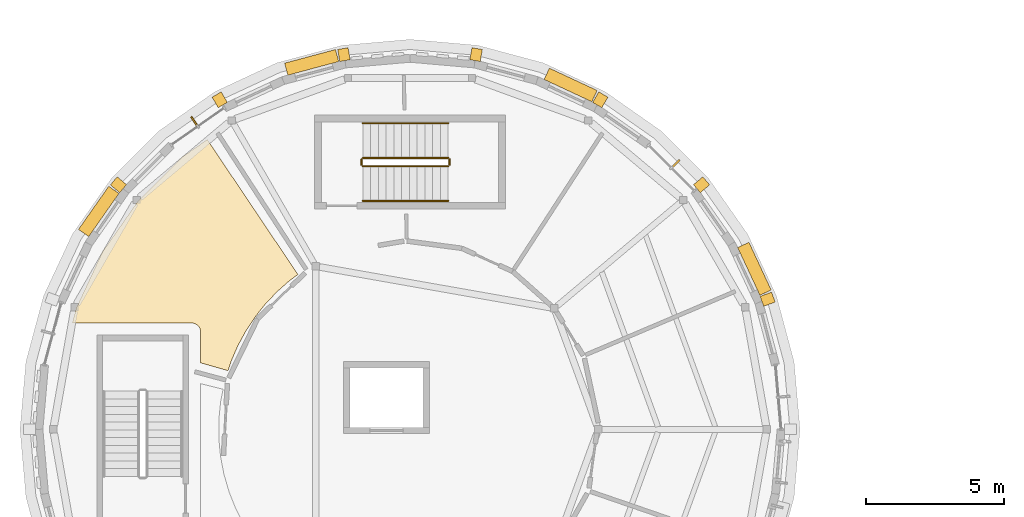
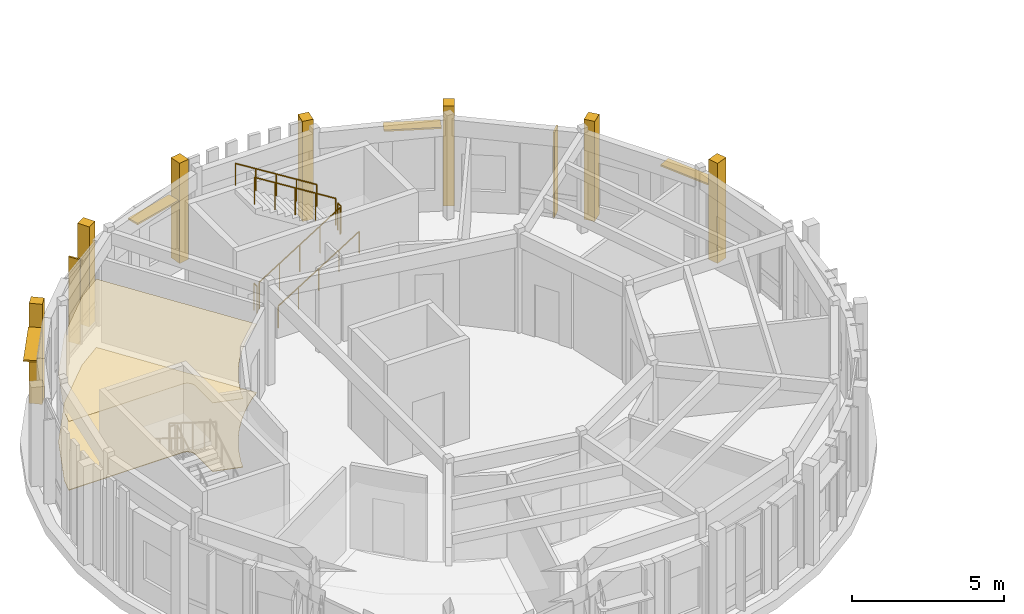
# One storey, part 29 of 30: 9 coverings, 6 railings, 6 shading devices.
"""IFC4 building model written with IfcOpenShell, lengths in metres."""

from ifc_helpers import new_model, si_unit, direction, frame, origin, origin_2d, place, context, subcontext, project, spatial, polyline, rectangle, circle, outline, extrude, material, layer, layer_set, type_object, element, save


model = new_model("IFC4")

# Units and contexts
model_context = context("Model", 3, precision=1e-05, world=origin(), true_north=direction((0.0, 1.0)))
body_context = subcontext(model_context, "Body", "Model", "MODEL_VIEW")
ifc_project = project(units=[si_unit("LENGTHUNIT", "METRE"), si_unit("AREAUNIT", "SQUARE_METRE"), si_unit("VOLUMEUNIT", "CUBIC_METRE"), si_unit("PLANEANGLEUNIT", "RADIAN"), si_unit("MASSUNIT", "GRAM", prefix="KILO")], contexts=[model_context])

# Site, building, storey
site_placement = place(None, origin())
site = spatial("IfcSite", under=ifc_project, at=site_placement, CompositionType="ELEMENT")
building_placement = place(site_placement, origin())
building = spatial("IfcBuilding", under=site, at=building_placement, Name="Aldenvaro Health Centre", CompositionType="ELEMENT")
storey_placement = place(building_placement, frame((0.0, 0.0, 17.14990234375)))
storey = spatial("IfcBuildingStorey", under=building, at=storey_placement, Name="L04", CompositionType="ELEMENT", Elevation=17.14990234375)

# Coverings
ifc_material_1 = material(Name="Antimicrobial Mineral Fibre Ceiling")
ifc_layer_1 = layer(ifc_material_1, 0.01806640625, Name="Antimicrobial Mineral Fibre Ceiling")
ifc_layer_set_1 = layer_set([ifc_layer_1], Name="Antimicrobial Mineral Fibre Ceiling")
covering_type_1 = type_object("IfcCoveringType", Name="COV-CLG-ACT18", PredefinedType="CEILING", material=ifc_layer_set_1)
covering_1_placement = place(storey_placement, frame((0.0, 0.0, 2.75)))
element("IfcCovering", 1, at=covering_1_placement, inside=storey, type_object=covering_type_1, Name="D4-L04-R01 Suspended Ceiling", PredefinedType="CEILING", context=body_context, shape_type="SweptSolid", body=[
    extrude(outline(polyline([(14.1669921875, 104.882080078125), (14.14990234375, 104.868896484375), (13.7119140625, 104.48193359375), (13.697021484375, 104.467041015625), (13.2939453125, 104.04296875), (13.280029296875, 104.028076171875), (12.916015625, 103.570068359375), (12.904052734375, 103.552978515625), (12.5810546875, 103.06494140625), (12.570068359375, 103.047119140625), (12.2919921875, 102.532958984375), (12.281982421875, 102.513916015625), (12.050048828125, 101.97802734375), (12.0419921875, 101.9580078125), (11.929931640625, 101.62109375), (10.93994140625, 101.903076171875), (10.93994140625, 103.02001953125), (10.93994140625, 103.031982421875), (10.93896484375, 103.0400390625), (10.93701171875, 103.06298828125), (10.93603515625, 103.071044921875), (10.930908203125, 103.093994140625), (10.928955078125, 103.10205078125), (10.923095703125, 103.1240234375), (10.919921875, 103.131103515625), (10.910888671875, 103.153076171875), (10.907958984375, 103.159912109375), (10.89599609375, 103.180908203125), (10.89208984375, 103.18798828125), (10.87890625, 103.20703125), (10.875, 103.214111328125), (10.860107421875, 103.23193359375), (10.85400390625, 103.238037109375), (10.837890625, 103.25390625), (10.83203125, 103.260009765625), (10.81396484375, 103.27490234375), (10.806884765625, 103.279052734375), (10.7880859375, 103.2919921875), (10.781005859375, 103.2958984375), (10.760009765625, 103.30810546875), (10.7529296875, 103.31103515625), (10.73095703125, 103.320068359375), (10.72412109375, 103.322998046875), (10.701904296875, 103.3291015625), (10.694091796875, 103.3310546875), (10.6708984375, 103.3359375), (10.6630859375, 103.3369140625), (10.639892578125, 103.339111328125), (10.632080078125, 103.340087890625), (10.6201171875, 103.340087890625), (6.30810546875, 103.340087890625), (6.4541015625, 103.884033203125), (7.39794921875, 105.908935546875), (8.679931640625, 107.739990234375), (10.260009765625, 109.320068359375), (11.179931640625, 109.964111328125), (14.452880859375, 105.093017578125), (14.1669921875, 104.882080078125)])), origin(), (0.0, 0.0, 1.0), 0.01806640625),
])
ifc_material_2 = material(Name="Honed Sonoran Buff Limestone", Category="masonry")
ifc_layer_2 = layer(ifc_material_2, 0.280029296875, Name="Honed Sonoran Buff Limestone", Category="masonry")
ifc_layer_set_2 = layer_set([ifc_layer_2], Name="Honed Sonoran Buff Limestone")
covering_type_2 = type_object("IfcCoveringType", Name="COV-CRN-STN", PredefinedType="CLADDING", material=ifc_layer_set_2)
for number, where, z_axis, x_axis, name in (
    (2, (7.97412109375, 108.33203125, -0.00048828125), (0.0, 0.0, 1.0), (-0.766057587935, 0.642771943979, 0.0), "D4 L04 Engaged Classical Limestone Pilaster 12"),
    (3, (11.6298828125, 111.39892578125, -0.00048828125), (0.0, 0.0, 1.0), (-0.499991611653, 0.866030246745, 0.0), "D4 L04 Engaged Classical Limestone Pilaster 13"),
    (4, (16.114013671875, 113.031005859375, -0.00048828125), (0.0, 0.0, 1.0), (-0.173661868999, 0.984805338763, 0.0), "D4 L04 Engaged Classical Limestone Pilaster 14"),
    (5, (20.885986328125, 113.031005859375, -0.00048828125), (0.0, 0.0, 1.0), (0.173661868999, 0.984805338763, 0.0), "D4 L04 Engaged Classical Limestone Pilaster 15"),
    (6, (25.3701171875, 111.39892578125, -0.00048828125), (0.0, 0.0, 1.0), (0.499991611653, 0.866030246745, 0.0), "D4 L04 Engaged Classical Limestone Pilaster 16"),
    (7, (29.02587890625, 108.33203125, -0.00048828125), (0.0, 0.0, 1.0), (0.766057587935, 0.642771943979, 0.0), "D4 L04 Engaged Classical Limestone Pilaster 17"),
    (8, (31.410888671875, 104.198974609375, -0.00048828125), (0.0, 0.0, 1.0), (0.939695335552, 0.342012684476, 0.0), "D4 L04 Engaged Classical Limestone Pilaster 18"),
):
    element("IfcCovering", number, at=place(storey_placement, frame(where, z_axis=z_axis, x_axis=x_axis)), inside=storey, type_object=covering_type_2, Name=name, PredefinedType="CLADDING", context=body_context, shape_type="SweptSolid", body=[
        extrude(rectangle(XDim=0.43994140625, YDim=0.3798828125, at=origin_2d()), origin(), (0.0, 0.0, 1.0), 4.014892578125),
    ])
ifc_material_3 = material(Name="Polished Epoxy Terrazzo Flooring")
ifc_layer_3 = layer(ifc_material_3, 0.02197265625, Name="Polished Epoxy Terrazzo Flooring")
ifc_layer_set_3 = layer_set([ifc_layer_3], Name="Polished Epoxy Terrazzo Flooring")
covering_type_3 = type_object("IfcCoveringType", Name="COV-FLR-TER22", PredefinedType="FLOORING", material=ifc_layer_set_3)
covering_2_placement = place(storey_placement, origin())
element("IfcCovering", 9, at=covering_2_placement, inside=storey, type_object=covering_type_3, Name="D4-L04-R01 Flooring", PredefinedType="FLOORING", context=body_context, shape_type="SweptSolid", body=[
    extrude(outline(polyline([(14.1669921875, 104.882080078125), (14.14990234375, 104.868896484375), (13.7119140625, 104.48193359375), (13.697021484375, 104.467041015625), (13.2939453125, 104.04296875), (13.280029296875, 104.028076171875), (12.916015625, 103.570068359375), (12.904052734375, 103.552978515625), (12.5810546875, 103.06494140625), (12.570068359375, 103.047119140625), (12.2919921875, 102.532958984375), (12.281982421875, 102.513916015625), (12.050048828125, 101.97802734375), (12.0419921875, 101.9580078125), (11.929931640625, 101.62109375), (10.93994140625, 101.903076171875), (10.93994140625, 103.02001953125), (10.93994140625, 103.031982421875), (10.93896484375, 103.0400390625), (10.93701171875, 103.06298828125), (10.93603515625, 103.071044921875), (10.930908203125, 103.093994140625), (10.928955078125, 103.10205078125), (10.923095703125, 103.1240234375), (10.919921875, 103.131103515625), (10.910888671875, 103.153076171875), (10.907958984375, 103.159912109375), (10.89599609375, 103.180908203125), (10.89208984375, 103.18798828125), (10.87890625, 103.20703125), (10.875, 103.214111328125), (10.860107421875, 103.23193359375), (10.85400390625, 103.238037109375), (10.837890625, 103.25390625), (10.83203125, 103.260009765625), (10.81396484375, 103.27490234375), (10.806884765625, 103.279052734375), (10.7880859375, 103.2919921875), (10.781005859375, 103.2958984375), (10.760009765625, 103.30810546875), (10.7529296875, 103.31103515625), (10.73095703125, 103.320068359375), (10.72412109375, 103.322998046875), (10.701904296875, 103.3291015625), (10.694091796875, 103.3310546875), (10.6708984375, 103.3359375), (10.6630859375, 103.3369140625), (10.639892578125, 103.339111328125), (10.632080078125, 103.340087890625), (10.6201171875, 103.340087890625), (6.30810546875, 103.340087890625), (6.4541015625, 103.884033203125), (7.39794921875, 105.908935546875), (8.679931640625, 107.739990234375), (10.260009765625, 109.320068359375), (11.179931640625, 109.964111328125), (14.452880859375, 105.093017578125), (14.1669921875, 104.882080078125)])), origin(), (0.0, 0.0, 1.0), 0.022216796875),
])

# Railings
ifc_material_4 = material(Name="Painted Architectural Steel", Category="steel")
railing_type_1 = type_object("IfcRailingType", Name="RL-BAL-INT", PredefinedType="BALUSTRADE", material=ifc_material_4)
railing_1_placement = place(storey_placement, frame((16.800048828125, 109.0, 0.175048828125)))
element("IfcRailing", 10, at=railing_1_placement, inside=storey, type_object=railing_type_1, Name="L04 ST-07 stair guard 1", PredefinedType="BALUSTRADE", context=body_context, shape_type="SweptSolid", body=[
    extrude(circle(Radius=0.02392578125, at=origin_2d()), frame((0.0, 0.0, 1.076171875), z_axis=(0.847979421464, 0.0, 0.530029150871), x_axis=(0.0, 1.0, 0.0)), (0.0, 0.0, 1.0), 3.632080078125),
    extrude(circle(Radius=0.02099609375, at=origin_2d()), origin(), (0.0, 0.0, 1.0), 1.052001953125),
    extrude(circle(Radius=0.02099609375, at=origin_2d()), frame((0.77001953125, 0.0, 0.481201171875)), (0.0, 0.0, 1.0), 1.052001953125),
    extrude(circle(Radius=0.02099609375, at=origin_2d()), frame((1.5400390625, 0.0, 0.96240234375)), (0.0, 0.0, 1.0), 1.052001953125),
    extrude(circle(Radius=0.02099609375, at=origin_2d()), frame((2.309814453125, 0.0, 1.44384765625)), (0.0, 0.0, 1.0), 1.052001953125),
    extrude(circle(Radius=0.02099609375, at=origin_2d()), frame((3.079833984375, 0.0, 1.925048828125)), (0.0, 0.0, 1.0), 1.052001953125),
])
railing_2_placement = place(storey_placement, frame((19.929931640625, 109.050048828125, 2.10009765625)))
element("IfcRailing", 11, at=railing_2_placement, inside=storey, type_object=railing_type_1, Name="L04 ST-07 stair guard 2", PredefinedType="BALUSTRADE", context=body_context, shape_type="SweptSolid", body=[
    extrude(circle(Radius=0.02392578125, at=origin_2d()), frame((0.0, 0.0, 1.076171875), z_axis=(0.0, 1.0, 0.0), x_axis=(-1.0, 0.0, 0.0)), (0.0, 0.0, 1.0), 0.199951171875),
    extrude(circle(Radius=0.02099609375, at=origin_2d()), origin(), (0.0, 0.0, 1.0), 1.052001953125),
    extrude(circle(Radius=0.02099609375, at=origin_2d()), frame((0.0, 0.199951171875, 0.0)), (0.0, 0.0, 1.0), 1.052001953125),
])
railing_3_placement = place(storey_placement, frame((19.8798828125, 109.300048828125, 2.275146484375)))
element("IfcRailing", 12, at=railing_3_placement, inside=storey, type_object=railing_type_1, Name="L04 ST-07 stair guard 3", PredefinedType="BALUSTRADE", context=body_context, shape_type="SweptSolid", body=[
    extrude(circle(Radius=0.02392578125, at=origin_2d()), frame((0.0, 0.0, 1.076171875), z_axis=(-0.847979421464, 0.0, 0.530029150871), x_axis=(0.0, -1.0, 0.0)), (0.0, 0.0, 1.0), 3.632080078125),
    extrude(circle(Radius=0.02099609375, at=origin_2d()), origin(), (0.0, 0.0, 1.0), 1.052001953125),
    extrude(circle(Radius=0.02099609375, at=origin_2d()), frame((-0.77001953125, 0.0, 0.481201171875)), (0.0, 0.0, 1.0), 1.052001953125),
    extrude(circle(Radius=0.02099609375, at=origin_2d()), frame((-1.5400390625, 0.0, 0.96240234375)), (0.0, 0.0, 1.0), 1.052001953125),
    extrude(circle(Radius=0.02099609375, at=origin_2d()), frame((-2.309814453125, 0.0, 1.44384765625)), (0.0, 0.0, 1.0), 1.052001953125),
    extrude(circle(Radius=0.02099609375, at=origin_2d()), frame((-3.079833984375, 0.0, 1.925048828125)), (0.0, 0.0, 1.0), 1.052001953125),
])
railing_4_placement = place(storey_placement, frame((16.75, 109.050048828125, 0.0)))
element("IfcRailing", 13, at=railing_4_placement, inside=storey, type_object=railing_type_1, Name="L04 ST-07 stair guard 4", PredefinedType="BALUSTRADE", context=body_context, shape_type="SweptSolid", body=[
    extrude(circle(Radius=0.02392578125, at=origin_2d()), frame((0.0, 0.0, 1.076171875), z_axis=(0.0, 1.0, 0.0), x_axis=(-1.0, 0.0, 0.0)), (0.0, 0.0, 1.0), 0.199951171875),
    extrude(circle(Radius=0.02099609375, at=origin_2d()), origin(), (0.0, 0.0, 1.0), 1.052001953125),
    extrude(circle(Radius=0.02099609375, at=origin_2d()), frame((0.0, 0.199951171875, 0.0)), (0.0, 0.0, 1.0), 1.052001953125),
])
railing_type_2 = type_object("IfcRailingType", Name="RL-HND-INT", PredefinedType="HANDRAIL", material=ifc_material_4)
railing_5_placement = place(storey_placement, frame((16.800048828125, 107.75, 0.175048828125)))
element("IfcRailing", 14, at=railing_5_placement, inside=storey, type_object=railing_type_2, Name="L04 ST-07 stair handrail 1", PredefinedType="HANDRAIL", context=body_context, shape_type="SweptSolid", body=[
    extrude(circle(Radius=0.02392578125, at=origin_2d()), frame((0.0, 0.0, 0.8759765625), z_axis=(0.847979421464, 0.0, 0.530029150871), x_axis=(0.0, 1.0, 0.0)), (0.0, 0.0, 1.0), 3.632080078125),
    extrude(circle(Radius=0.02099609375, at=origin_2d()), origin(), (0.0, 0.0, 1.0), 0.851806640625),
    extrude(circle(Radius=0.02099609375, at=origin_2d()), frame((0.77001953125, 0.0, 0.481201171875)), (0.0, 0.0, 1.0), 0.851806640625),
    extrude(circle(Radius=0.02099609375, at=origin_2d()), frame((1.5400390625, 0.0, 0.96240234375)), (0.0, 0.0, 1.0), 0.851806640625),
    extrude(circle(Radius=0.02099609375, at=origin_2d()), frame((2.309814453125, 0.0, 1.44384765625)), (0.0, 0.0, 1.0), 0.851806640625),
    extrude(circle(Radius=0.02099609375, at=origin_2d()), frame((3.079833984375, 0.0, 1.925048828125)), (0.0, 0.0, 1.0), 0.851806640625),
])
railing_6_placement = place(storey_placement, frame((19.8798828125, 110.550048828125, 2.275146484375)))
element("IfcRailing", 15, at=railing_6_placement, inside=storey, type_object=railing_type_2, Name="L04 ST-07 stair handrail 2", PredefinedType="HANDRAIL", context=body_context, shape_type="SweptSolid", body=[
    extrude(circle(Radius=0.02392578125, at=origin_2d()), frame((0.0, 0.0, 0.8759765625), z_axis=(-0.847979421464, 0.0, 0.530029150871), x_axis=(0.0, -1.0, 0.0)), (0.0, 0.0, 1.0), 3.632080078125),
    extrude(circle(Radius=0.02099609375, at=origin_2d()), origin(), (0.0, 0.0, 1.0), 0.851806640625),
    extrude(circle(Radius=0.02099609375, at=origin_2d()), frame((-0.77001953125, 0.0, 0.481201171875)), (0.0, 0.0, 1.0), 0.851806640625),
    extrude(circle(Radius=0.02099609375, at=origin_2d()), frame((-1.5400390625, 0.0, 0.96240234375)), (0.0, 0.0, 1.0), 0.851806640625),
    extrude(circle(Radius=0.02099609375, at=origin_2d()), frame((-2.309814453125, 0.0, 1.44384765625)), (0.0, 0.0, 1.0), 0.851806640625),
    extrude(circle(Radius=0.02099609375, at=origin_2d()), frame((-3.079833984375, 0.0, 1.925048828125)), (0.0, 0.0, 1.0), 0.851806640625),
])

# Shading devices
ifc_material_5 = material(Name="Douglas Fir Exterior Glulam GL28h", Category="wood")
shading_device_type_1 = type_object("IfcShadingDeviceType", Name="SHD-FIN-400", PredefinedType="USERDEFINED", material=ifc_material_5)
shading_device_1_placement = place(storey_placement, frame((28.0869140625, 109.0869140625, -0.0205078125), z_axis=(0.0, 0.0, 1.0), x_axis=(0.707106781187, -0.707106781187, 0.0)))
element("IfcShadingDevice", 16, at=shading_device_1_placement, inside=storey, type_object=shading_device_type_1, Name="D4 L04 vertical timber fin 32.0", ObjectType="FIN", PredefinedType="USERDEFINED", context=body_context, shape_type="SweptSolid", body=[
    extrude(rectangle(XDim=0.06494140625, YDim=0.419921875, at=origin_2d()), origin(), (0.0, 0.0, 1.0), 3.408935546875),
])
shading_device_type_2 = type_object("IfcShadingDeviceType", Name="SHD-FIN-435", PredefinedType="USERDEFINED", material=ifc_material_5)
shading_device_2_placement = place(storey_placement, frame((10.722900390625, 110.60693359375, -0.0205078125), z_axis=(0.0, 0.0, 1.0), x_axis=(0.819050849853, 0.573720929857, 0.0)))
element("IfcShadingDevice", 17, at=shading_device_2_placement, inside=storey, type_object=shading_device_type_2, Name="D4 L04 vertical timber fin 24.0", ObjectType="FIN", PredefinedType="USERDEFINED", context=body_context, shape_type="SweptSolid", body=[
    extrude(rectangle(XDim=0.06494140625, YDim=0.419921875, at=origin_2d()), origin(), (0.0, 0.0, 1.0), 3.408935546875),
])
shading_device_type_3 = type_object("IfcShadingDeviceType", Name="SHD-LVR-190", PredefinedType="JALOUSIE", material=ifc_material_5)
for number, where, z_axis, x_axis, name in (
    (18, (7.261962890625, 107.368896484375, 3.047607421875), (0.0, 0.0, 1.0), (0.573720929857, 0.819050849853, 0.0), "D4 L04 horizontal solar louvre 22"),
    (19, (14.949951171875, 112.7509765625, 2.49755859375), (0.0, 0.0, 1.0), (0.965978620089, 0.258621935517, 0.0), "D4 L04 horizontal solar louvre 26"),
    (20, (24.298095703125, 111.93408203125, 3.09765625), (0.0, 0.0, 1.0), (0.90633620484, -0.422557314215, 0.0), "D4 L04 horizontal solar louvre 30"),
    (21, (30.93408203125, 105.298095703125, 2.947509765625), (0.0, 0.0, 1.0), (0.422557314215, -0.90633620484, 0.0), "D4 L04 horizontal solar louvre 34"),
):
    element("IfcShadingDevice", number, at=place(storey_placement, frame(where, z_axis=z_axis, x_axis=x_axis)), inside=storey, type_object=shading_device_type_3, Name=name, PredefinedType="JALOUSIE", context=body_context, shape_type="SweptSolid", body=[
        extrude(rectangle(XDim=1.89990234375, YDim=0.449951171875, at=origin_2d()), origin(), (0.0, 0.0, 1.0), 0.06494140625),
    ])

save(model, "model.ifc")
